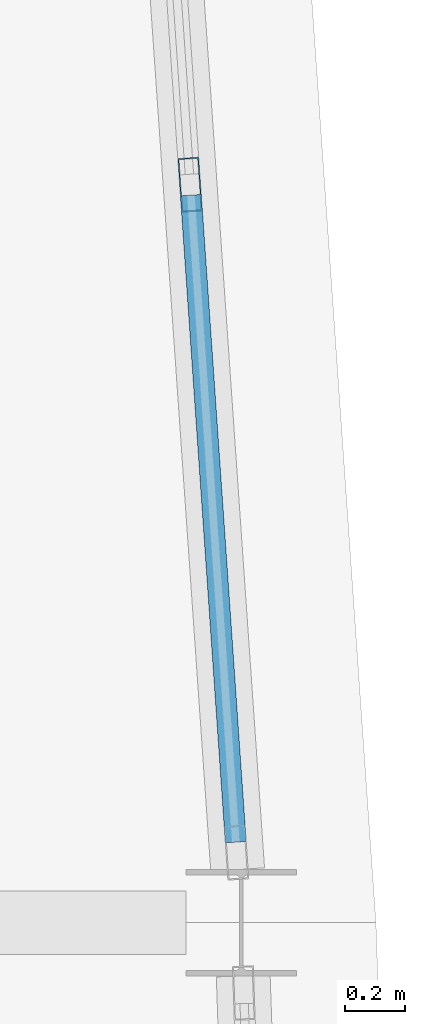
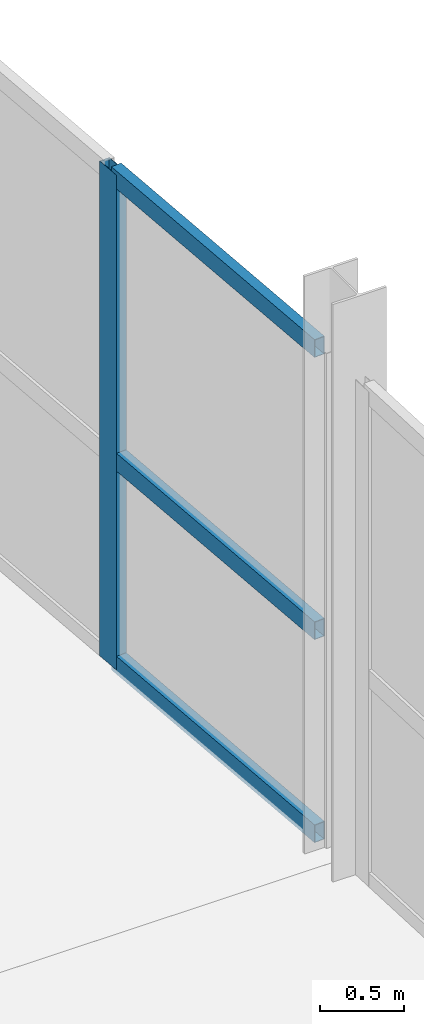
# One storey, part 5 of 17: 4 members, 1 element without a shape of its own.
"""IFC4 building model written with IfcOpenShell, lengths in metres."""

from ifc_helpers import new_model, si_unit, direction, frame, origin, origin_2d, place, context, subcontext, project, spatial, hollow_rectangle, extrude, material, layer, layer_set, material_profile, profile_set, type_object, element, aggregate, save


model = new_model("IFC4")

# Units and contexts
model_context = context("Model", 3, precision=1e-05, world=origin(), true_north=direction((0.0, 1.0)))
body_context = subcontext(model_context, "Body", "Model", "MODEL_VIEW")
ifc_project = project(units=[si_unit("LENGTHUNIT", "METRE"), si_unit("AREAUNIT", "SQUARE_METRE"), si_unit("VOLUMEUNIT", "CUBIC_METRE"), si_unit("PLANEANGLEUNIT", "RADIAN"), si_unit("MASSUNIT", "GRAM", prefix="KILO")], contexts=[model_context])

# Site, building, storey
site_placement = place(None, origin())
site = spatial("IfcSite", under=ifc_project, at=site_placement, CompositionType="ELEMENT")
building_placement = place(site_placement, origin())
building = spatial("IfcBuilding", under=site, at=building_placement, Name="Quillay Park Conservatory", CompositionType="ELEMENT")
storey_placement = place(building_placement, frame((0.0, 0.0, 51.89990234375)))
storey = spatial("IfcBuildingStorey", under=building, at=storey_placement, Name="L12", CompositionType="ELEMENT", Elevation=51.89990234375)

# Curtain wall, members
ifc_material_1 = material(Name="Thermally Broken Anodised Aluminium 6063-T6", Category="aluminium")
ifc_layer = layer(ifc_material_1, 0.179931640625)
ifc_layer_set = layer_set([ifc_layer], Name="UNITISED CURTAIN WALL TOWER (Thermally Broken Anodised Aluminium 6063-T6)")
curtain_wall_type = type_object("IfcCurtainWallType", Name="UNITISED CURTAIN WALL TOWER", PredefinedType="USERDEFINED", material=ifc_layer_set)
curtain_wall_placement = place(storey_placement, origin())
curtain_wall = element("IfcCurtainWall", 1, at=curtain_wall_placement, inside=storey, type_object=curtain_wall_type, Name="L12 Unitised Curtain Wall 117", ObjectType="UNITISED CURTAIN WALL", PredefinedType="USERDEFINED")
ifc_material_2 = material(Name="Thermally Broken Anodised Aluminium 6063-T6", Category="aluminium")
ifc_material_profile_1 = material_profile(ifc_material_2, hollow_rectangle(XDim=0.070068359375, YDim=0.179931640625, WallThickness=0.00390625, at=origin_2d()), Name="AL70x180x4")
ifc_profile_set_1 = profile_set([ifc_material_profile_1], Name="Thermally Broken Anodised Aluminium 6063-T6")
member_type_1 = type_object("IfcMemberType", Name="CURTAIN WALL MULLION 70 X180", PredefinedType="MULLION", material=ifc_profile_set_1)
member_1_placement = place(storey_placement, frame((24.878662109375, 102.06640625, 0.0), z_axis=(0.0, 0.0, 1.0), x_axis=(0.99759835015, 0.069264217159, 0.0)))
member_1 = element("IfcMember", 2, at=member_1_placement, type_object=member_type_1, Name="CW-T1 mullion 3", PredefinedType="MULLION", context=body_context, shape_type="SweptSolid", body=[
    extrude(hollow_rectangle(XDim=0.070068359375, YDim=0.179931640625, WallThickness=0.00390625, at=origin_2d()), origin(), (0.0, 0.0, 1.0), 3.59912109375),
])
ifc_material_3 = material(Name="Thermally Broken Anodised Aluminium 6063-T6", Category="aluminium")
ifc_material_profile_2 = material_profile(ifc_material_3, hollow_rectangle(XDim=0.070068359375, YDim=0.1298828125, WallThickness=0.003173828125, at=origin_2d()), Name="AL70x130x3.2")
ifc_profile_set_2 = profile_set([ifc_material_profile_2], Name="Thermally Broken Anodised Aluminium 6063-T6")
member_type_2 = type_object("IfcMemberType", Name="CURTAIN WALL TRANSOM 70 X130", PredefinedType="USERDEFINED", material=ifc_profile_set_2)
member_2_placement = place(storey_placement, frame((24.881103515625, 102.031494140625, 0.03515625), z_axis=(0.069277598678, -0.997597420968, 0.0), x_axis=(0.997597420968, 0.069277598678, 0.0)))
member_2 = element("IfcMember", 3, at=member_2_placement, type_object=member_type_2, Name="CW-T1 transom 3.1", ObjectType="TRANSOM", PredefinedType="USERDEFINED", context=body_context, shape_type="SweptSolid", body=[
    extrude(hollow_rectangle(XDim=0.070068359375, YDim=0.1298828125, WallThickness=0.003173828125, at=origin_2d()), origin(), (0.0, 0.0, 1.0), 2.167236328125),
])
member_3_placement = place(storey_placement, frame((24.881103515625, 102.031494140625, 1.51171875), z_axis=(0.069277598678, -0.997597420968, 0.0), x_axis=(0.997597420968, 0.069277598678, 0.0)))
member_3 = element("IfcMember", 4, at=member_3_placement, type_object=member_type_2, Name="CW-T1 transom 3.2", ObjectType="TRANSOM", PredefinedType="USERDEFINED", context=body_context, shape_type="SweptSolid", body=[
    extrude(hollow_rectangle(XDim=0.070068359375, YDim=0.1298828125, WallThickness=0.003173828125, at=origin_2d()), origin(), (0.0, 0.0, 1.0), 2.167236328125),
])
member_4_placement = place(storey_placement, frame((24.881103515625, 102.031494140625, 3.564208984375), z_axis=(0.069277598678, -0.997597420968, 0.0), x_axis=(0.997597420968, 0.069277598678, 0.0)))
member_4 = element("IfcMember", 5, at=member_4_placement, type_object=member_type_2, Name="CW-T1 transom 3.3", ObjectType="TRANSOM", PredefinedType="USERDEFINED", context=body_context, shape_type="SweptSolid", body=[
    extrude(hollow_rectangle(XDim=0.070068359375, YDim=0.1298828125, WallThickness=0.003173828125, at=origin_2d()), origin(), (0.0, 0.0, 1.0), 2.167236328125),
])
aggregate(curtain_wall, [member_1, member_2, member_3, member_4])

save(model, "model.ifc")
